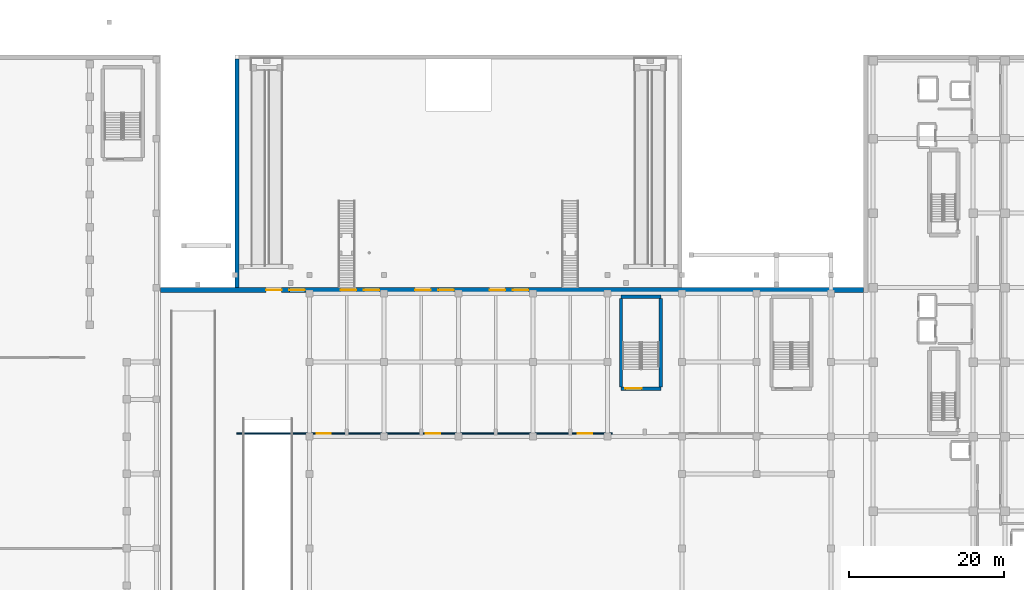
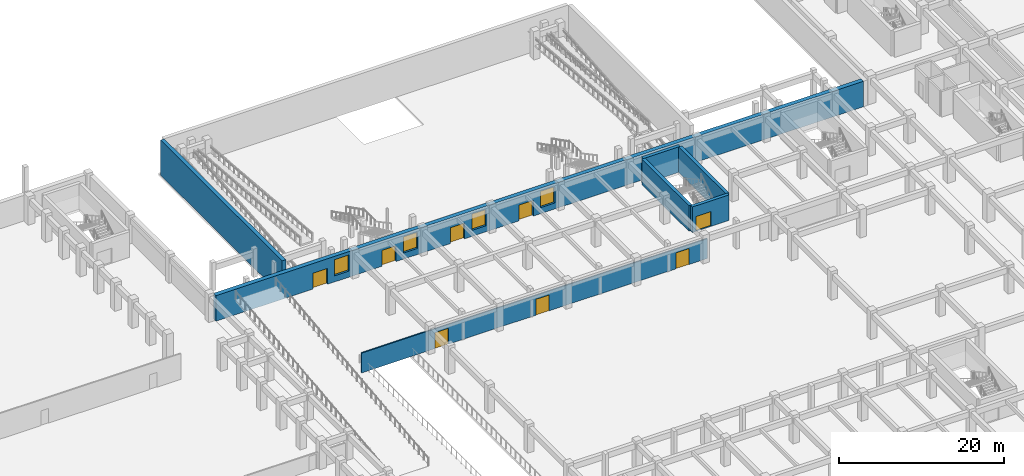
# One storey, part 14 of 39: 8 doors, 7 walls, 4 windows, 12 openings.
"""IFC4 building model written with IfcOpenShell, lengths in metres."""

from ifc_helpers import new_model, si_unit, direction, frame, frame_2d, origin, place, context, subcontext, project, spatial, rectangle, extrude, material, layer, layer_set, type_object, element, fill, save


model = new_model("IFC4")

# Units and contexts
model_context = context("Model", 3, precision=1e-05, world=origin(), true_north=direction((0.0, 1.0)))
body_context = subcontext(model_context, "Body", "Model", "MODEL_VIEW")
ifc_project = project(units=[si_unit("LENGTHUNIT", "METRE"), si_unit("AREAUNIT", "SQUARE_METRE"), si_unit("VOLUMEUNIT", "CUBIC_METRE"), si_unit("PLANEANGLEUNIT", "RADIAN"), si_unit("MASSUNIT", "GRAM", prefix="KILO")], contexts=[model_context])

# Site, building, storey
site_placement = place(None, origin())
site = spatial("IfcSite", under=ifc_project, at=site_placement, CompositionType="ELEMENT")
building_placement = place(site_placement, origin())
building = spatial("IfcBuilding", under=site, at=building_placement, Name="Nakhvara Creek Congress Hotel", CompositionType="ELEMENT")
storey_placement = place(building_placement, frame((0.0, 0.0, -4.199951171875)))
storey = spatial("IfcBuildingStorey", under=building, at=storey_placement, Name="B1", CompositionType="ELEMENT", Elevation=-4.199951171875)

# Wall, opening, door
ifc_material_1 = material(Name="Concrete C50/60", Category="concrete")
ifc_layer_1 = layer(ifc_material_1, 0.449951171875)
ifc_layer_set_1 = layer_set([ifc_layer_1], Name="Concrete C50/60")
wall_type_1 = type_object("IfcWallType", Name="W-CORE-450", PredefinedType="SHEAR", material=ifc_layer_set_1)
wall_1_placement = place(storey_placement, frame((116.949951171875, 82.97998046875, 0.0), z_axis=(0.0, 0.0, 1.0), x_axis=(1.0, 0.0, 0.0)))
wall_1 = element("IfcWall", 1, at=wall_1_placement, inside=storey, type_object=wall_type_1, Name="Core Shear Wall WS02-CWALL-B1-0891", PredefinedType="SHEAR", context=body_context, shape_type="SweptSolid", body=[
    extrude(rectangle(XDim=5.150146484375, YDim=0.449951171875, at=frame_2d((2.5751953125, 0.0))), origin(), (0.0, 0.0, 1.0), 3.780029296875),
])
opening_1_placement = place(wall_1_placement, frame((0.550048828125, 0.0, 0.0)))
opening_1 = element("IfcOpeningElement", 2, at=opening_1_placement, cuts=wall_1, Name="Opening FD19", PredefinedType="OPENING", context=body_context, shape_type="SweptSolid", body=[
    extrude(rectangle(XDim=2.10009765625, YDim=2.199951171875, at=frame_2d((1.050048828125, 1.10009765625))), frame((0.0, 0.23681640625, 0.0), z_axis=(0.0, -1.0, 0.0), x_axis=(1.0, 0.0, 0.0)), (0.0, 0.0, 1.0), 0.473876953125),
])
ifc_material_2 = material(Name="Galvanised steel acoustic fire door", Category="steel")
door_type_1 = type_object("IfcDoorType", Name="DT-STAIR-220", OperationType="DOUBLE_DOOR_SINGLE_SWING", PredefinedType="DOOR", material=ifc_material_2)
door_1_placement = place(opening_1_placement, frame((2.10009765625, 0.0, 0.0), z_axis=(0.0, 0.0, 1.0), x_axis=(-1.0, 0.0, 0.0)))
door_1 = element("IfcDoor", 3, at=door_1_placement, inside=storey, type_object=door_type_1, Name="Stair Exit Door ST09-B1", OperationType="DOUBLE_DOOR_SINGLE_SWING", OverallHeight=2.199951171875, OverallWidth=2.10009765625, PredefinedType="DOOR", context=body_context, shape_type="SweptSolid", body=[
    extrude(rectangle(XDim=2.10009765625, YDim=2.199951171875, at=frame_2d((1.050048828125, 1.10009765625))), frame((0.0, 0.02490234375, 0.0), z_axis=(0.0, -1.0, 0.0), x_axis=(1.0, 0.0, 0.0)), (0.0, 0.0, 1.0), 0.050048828125),
])
fill(opening_1, door_1)

# Walls
wall_2_placement = place(storey_placement, frame((116.949951171875, 94.820068359375, 0.0), z_axis=(0.0, 0.0, 1.0), x_axis=(1.0, 0.0, 0.0)))
element("IfcWall", 4, at=wall_2_placement, inside=storey, type_object=wall_type_1, Name="Core Shear Wall WS02-CWALL-B1-0892", PredefinedType="SHEAR", context=body_context, shape_type="SweptSolid", body=[
    extrude(rectangle(XDim=5.150146484375, YDim=0.449951171875, at=frame_2d((2.5751953125, 0.0))), origin(), (0.0, 0.0, 1.0), 3.780029296875),
])
for number, where, z_axis, x_axis, name in (
    (5, (116.949951171875, 83.199951171875, 0.0), (0.0, 0.0, 1.0), (0.0, 1.0, 0.0), "Core Shear Wall WS02-CWALL-B1-0893"),
    (6, (122.10009765625, 83.199951171875, 0.0), (0.0, 0.0, 1.0), (0.0, 1.0, 0.0), "Core Shear Wall WS02-CWALL-B1-0894"),
):
    element("IfcWall", number, at=place(storey_placement, frame(where, z_axis=z_axis, x_axis=x_axis)), inside=storey, type_object=wall_type_1, Name=name, PredefinedType="SHEAR", context=body_context, shape_type="SweptSolid", body=[
        extrude(rectangle(XDim=11.400146484375, YDim=0.449951171875, at=frame_2d((5.7001953125, 0.0))), origin(), (0.0, 0.0, 1.0), 3.780029296875),
    ])

# Wall, openings, doors
ifc_material_3 = material(Name="Gypsum acoustic board on steel stud", Category="steel")
ifc_layer_2 = layer(ifc_material_3, 0.179931640625)
ifc_layer_set_2 = layer_set([ifc_layer_2], Name="Gypsum acoustic board on steel stud")
wall_type_2 = type_object("IfcWallType", Name="W-MEET-180", PredefinedType="PARTITIONING", material=ifc_layer_set_2)
wall_3_placement = place(storey_placement, frame((67.39990234375, 77.199951171875, 0.0), z_axis=(0.0, 0.0, 1.0), x_axis=(1.0, 0.0, 0.0)))
wall_3 = element("IfcWall", 7, at=wall_3_placement, inside=storey, type_object=wall_type_2, Name="Interior Wall WP13-IW-B1-0045", PredefinedType="PARTITIONING", context=body_context, shape_type="SweptSolid", body=[
    extrude(rectangle(XDim=48.400146484375, YDim=0.179931640625, at=frame_2d((24.2001953125, 0.0))), origin(), (0.0, 0.0, 1.0), 2.931884765625),
])
opening_2_placement = place(wall_3_placement, frame((10.300048828125, 0.0, 0.0)))
opening_2 = element("IfcOpeningElement", 8, at=opening_2_placement, cuts=wall_3, Name="Opening MD01", PredefinedType="OPENING", context=body_context, shape_type="SweptSolid", body=[
    extrude(rectangle(XDim=1.85009765625, YDim=2.35009765625, at=frame_2d((0.925048828125, 1.175048828125))), frame((0.0, 0.10205078125, 0.0), z_axis=(0.0, -1.0, 0.0), x_axis=(1.0, 0.0, 0.0)), (0.0, 0.0, 1.0), 0.203857421875),
])
opening_3_placement = place(wall_3_placement, frame((44.0, 0.0, 0.0)))
opening_3 = element("IfcOpeningElement", 9, at=opening_3_placement, cuts=wall_3, Name="Opening MD01", PredefinedType="OPENING", context=body_context, shape_type="SweptSolid", body=[
    extrude(rectangle(XDim=1.85009765625, YDim=2.35009765625, at=frame_2d((0.925048828125, 1.175048828125))), frame((0.0, 0.10205078125, 0.0), z_axis=(0.0, -1.0, 0.0), x_axis=(1.0, 0.0, 0.0)), (0.0, 0.0, 1.0), 0.203857421875),
])
opening_4_placement = place(wall_3_placement, frame((24.39990234375, 0.0, 0.0)))
opening_4 = element("IfcOpeningElement", 10, at=opening_4_placement, cuts=wall_3, Name="Opening MD01", PredefinedType="OPENING", context=body_context, shape_type="SweptSolid", body=[
    extrude(rectangle(XDim=1.85009765625, YDim=2.35009765625, at=frame_2d((0.925048828125, 1.175048828125))), frame((0.0, 0.10205078125, 0.0), z_axis=(0.0, -1.0, 0.0), x_axis=(1.0, 0.0, 0.0)), (0.0, 0.0, 1.0), 0.203857421875),
])
ifc_material_4 = material(Name="Acoustic walnut timber double door", Category="wood")
door_type_2 = type_object("IfcDoorType", Name="DT-MEET-185", OperationType="DOUBLE_DOOR_SINGLE_SWING", PredefinedType="DOOR", material=ifc_material_4)
door_2_placement = place(opening_2_placement, frame((1.85009765625, 0.0, 0.0), z_axis=(0.0, 0.0, 1.0), x_axis=(-1.0, 0.0, 0.0)))
door_2 = element("IfcDoor", 11, at=door_2_placement, inside=storey, type_object=door_type_2, Name="Interior Door MD01-0040", OperationType="DOUBLE_DOOR_SINGLE_SWING", OverallHeight=2.35009765625, OverallWidth=1.85009765625, PredefinedType="DOOR", context=body_context, shape_type="SweptSolid", body=[
    extrude(rectangle(XDim=1.85009765625, YDim=2.35009765625, at=frame_2d((0.925048828125, 1.175048828125))), frame((0.0, 0.02490234375, 0.0), z_axis=(0.0, -1.0, 0.0), x_axis=(1.0, 0.0, 0.0)), (0.0, 0.0, 1.0), 0.050048828125),
])
fill(opening_2, door_2)
door_3_placement = place(opening_3_placement, frame((1.85009765625, 0.0, 0.0), z_axis=(0.0, 0.0, 1.0), x_axis=(-1.0, 0.0, 0.0)))
door_3 = element("IfcDoor", 12, at=door_3_placement, inside=storey, type_object=door_type_2, Name="Interior Door MD01-0041", OperationType="DOUBLE_DOOR_SINGLE_SWING", OverallHeight=2.35009765625, OverallWidth=1.85009765625, PredefinedType="DOOR", context=body_context, shape_type="SweptSolid", body=[
    extrude(rectangle(XDim=1.85009765625, YDim=2.35009765625, at=frame_2d((0.925048828125, 1.175048828125))), frame((0.0, 0.02490234375, 0.0), z_axis=(0.0, -1.0, 0.0), x_axis=(1.0, 0.0, 0.0)), (0.0, 0.0, 1.0), 0.050048828125),
])
fill(opening_3, door_3)
door_4_placement = place(opening_4_placement, frame((1.85009765625, 0.0, 0.0), z_axis=(0.0, 0.0, 1.0), x_axis=(-1.0, 0.0, 0.0)))
door_4 = element("IfcDoor", 13, at=door_4_placement, inside=storey, type_object=door_type_2, Name="Interior Door MD01-0042", OperationType="DOUBLE_DOOR_SINGLE_SWING", OverallHeight=2.35009765625, OverallWidth=1.85009765625, PredefinedType="DOOR", context=body_context, shape_type="SweptSolid", body=[
    extrude(rectangle(XDim=1.85009765625, YDim=2.35009765625, at=frame_2d((0.925048828125, 1.175048828125))), frame((0.0, 0.02490234375, 0.0), z_axis=(0.0, -1.0, 0.0), x_axis=(1.0, 0.0, 0.0)), (0.0, 0.0, 1.0), 0.050048828125),
])
fill(opening_4, door_4)

# Wall
ifc_material_5 = material(Name="Concrete C40/50", Category="concrete")
ifc_layer_3 = layer(ifc_material_5, 0.52001953125)
ifc_layer_set_3 = layer_set([ifc_layer_3], Name="Concrete C40/50")
wall_type_3 = type_object("IfcWallType", Name="W-RET-520", PredefinedType="USERDEFINED", material=ifc_layer_set_3)
wall_4_placement = place(storey_placement, frame((67.4599609375, 96.0, 0.0), z_axis=(0.0, 0.0, 1.0), x_axis=(0.0, 1.0, 0.0)))
element("IfcWall", 14, at=wall_4_placement, inside=storey, type_object=wall_type_3, Name="Exterior Wall WR02-EW-B1-0021", ObjectType="RETAININGWALL", PredefinedType="USERDEFINED", context=body_context, shape_type="SweptSolid", body=[
    extrude(rectangle(XDim=29.47998046875, YDim=0.52001953125, at=frame_2d((14.739990234375, 0.0))), origin(), (0.0, 0.0, 1.0), 5.199951171875),
])

# Wall, openings, doors, windows
ifc_layer_4 = layer(ifc_material_5, 0.60009765625)
ifc_layer_set_4 = layer_set([ifc_layer_4], Name="Concrete C40/50")
wall_type_4 = type_object("IfcWallType", Name="W-RET-600", PredefinedType="USERDEFINED", material=ifc_layer_set_4)
wall_5_placement = place(storey_placement, frame((57.60009765625, 95.699951171875, 0.0), z_axis=(0.0, 0.0, 1.0), x_axis=(1.0, 0.0, 0.0)))
wall_5 = element("IfcWall", 15, at=wall_5_placement, inside=storey, type_object=wall_type_4, Name="Exterior Wall WR01-EW-B1-0014", ObjectType="RETAININGWALL", PredefinedType="USERDEFINED", context=body_context, shape_type="SweptSolid", body=[
    extrude(rectangle(XDim=90.599853515625, YDim=0.60009765625, at=frame_2d((45.2998046875, 0.0))), origin(), (0.0, 0.0, 1.0), 3.780029296875),
])
opening_5_placement = place(wall_5_placement, frame((13.60009765625, 0.0, 0.0)))
opening_5 = element("IfcOpeningElement", 16, at=opening_5_placement, cuts=wall_5, Name="Opening BM01", PredefinedType="OPENING", context=body_context, shape_type="SweptSolid", body=[
    extrude(rectangle(XDim=2.0, YDim=2.35009765625, at=frame_2d((1.0, 1.175048828125))), frame((0.0, 0.31201171875, 0.0), z_axis=(0.0, -1.0, 0.0), x_axis=(1.0, 0.0, 0.0)), (0.0, 0.0, 1.0), 0.6240234375),
])
opening_6_placement = place(wall_5_placement, frame((23.199951171875, 0.0, 0.0)))
opening_6 = element("IfcOpeningElement", 17, at=opening_6_placement, cuts=wall_5, Name="Opening BM02", PredefinedType="OPENING", context=body_context, shape_type="SweptSolid", body=[
    extrude(rectangle(XDim=2.0, YDim=2.35009765625, at=frame_2d((1.0, 1.175048828125))), frame((0.0, 0.31201171875, 0.0), z_axis=(0.0, -1.0, 0.0), x_axis=(1.0, 0.0, 0.0)), (0.0, 0.0, 1.0), 0.6240234375),
])
opening_7_placement = place(wall_5_placement, frame((32.800048828125, 0.0, 0.0)))
opening_7 = element("IfcOpeningElement", 18, at=opening_7_placement, cuts=wall_5, Name="Opening BM03", PredefinedType="OPENING", context=body_context, shape_type="SweptSolid", body=[
    extrude(rectangle(XDim=2.0, YDim=2.35009765625, at=frame_2d((1.0, 1.175048828125))), frame((0.0, 0.31201171875, 0.0), z_axis=(0.0, -1.0, 0.0), x_axis=(1.0, 0.0, 0.0)), (0.0, 0.0, 1.0), 0.6240234375),
])
opening_8_placement = place(wall_5_placement, frame((42.39990234375, 0.0, 0.0)))
opening_8 = element("IfcOpeningElement", 19, at=opening_8_placement, cuts=wall_5, Name="Opening BM04", PredefinedType="OPENING", context=body_context, shape_type="SweptSolid", body=[
    extrude(rectangle(XDim=2.0, YDim=2.35009765625, at=frame_2d((1.0, 1.175048828125))), frame((0.0, 0.31201171875, 0.0), z_axis=(0.0, -1.0, 0.0), x_axis=(1.0, 0.0, 0.0)), (0.0, 0.0, 1.0), 0.6240234375),
])
opening_9_placement = place(wall_5_placement, frame((16.60009765625, 0.0, 0.89990234375)))
opening_9 = element("IfcOpeningElement", 20, at=opening_9_placement, cuts=wall_5, Name="Opening WN0001", PredefinedType="OPENING", context=body_context, shape_type="SweptSolid", body=[
    extrude(rectangle(XDim=2.0, YDim=2.39990234375, at=frame_2d((1.0, 1.199951171875))), frame((0.0, 0.31201171875, 0.0), z_axis=(0.0, -1.0, 0.0), x_axis=(1.0, 0.0, 0.0)), (0.0, 0.0, 1.0), 0.6240234375),
])
opening_10_placement = place(wall_5_placement, frame((26.199951171875, 0.0, 0.89990234375)))
opening_10 = element("IfcOpeningElement", 21, at=opening_10_placement, cuts=wall_5, Name="Opening WN0002", PredefinedType="OPENING", context=body_context, shape_type="SweptSolid", body=[
    extrude(rectangle(XDim=2.0, YDim=2.39990234375, at=frame_2d((1.0, 1.199951171875))), frame((0.0, 0.31201171875, 0.0), z_axis=(0.0, -1.0, 0.0), x_axis=(1.0, 0.0, 0.0)), (0.0, 0.0, 1.0), 0.6240234375),
])
opening_11_placement = place(wall_5_placement, frame((35.800048828125, 0.0, 0.89990234375)))
opening_11 = element("IfcOpeningElement", 22, at=opening_11_placement, cuts=wall_5, Name="Opening WN0003", PredefinedType="OPENING", context=body_context, shape_type="SweptSolid", body=[
    extrude(rectangle(XDim=2.0, YDim=2.39990234375, at=frame_2d((1.0, 1.199951171875))), frame((0.0, 0.31201171875, 0.0), z_axis=(0.0, -1.0, 0.0), x_axis=(1.0, 0.0, 0.0)), (0.0, 0.0, 1.0), 0.6240234375),
])
opening_12_placement = place(wall_5_placement, frame((45.39990234375, 0.0, 0.89990234375)))
opening_12 = element("IfcOpeningElement", 23, at=opening_12_placement, cuts=wall_5, Name="Opening WN0004", PredefinedType="OPENING", context=body_context, shape_type="SweptSolid", body=[
    extrude(rectangle(XDim=2.0, YDim=2.39990234375, at=frame_2d((1.0, 1.199951171875))), frame((0.0, 0.31201171875, 0.0), z_axis=(0.0, -1.0, 0.0), x_axis=(1.0, 0.0, 0.0)), (0.0, 0.0, 1.0), 0.6240234375),
])
ifc_material_6 = material(Name="Bronze-anodised aluminium and laminated low-E glass", Category="aluminium")
door_type_3 = type_object("IfcDoorType", Name="DT-EXT-E200", OperationType="DOUBLE_DOOR_SINGLE_SWING", PredefinedType="DOOR", material=ifc_material_6)
door_5_placement = place(opening_5_placement, origin())
door_5 = element("IfcDoor", 24, at=door_5_placement, inside=storey, type_object=door_type_3, Name="Metro Plaza Concourse Entrance BM01", OperationType="DOUBLE_DOOR_SINGLE_SWING", OverallHeight=2.35009765625, OverallWidth=2.0, PredefinedType="DOOR", context=body_context, shape_type="SweptSolid", body=[
    extrude(rectangle(XDim=2.0, YDim=2.35009765625, at=frame_2d((1.0, 1.175048828125))), frame((0.0, 0.02490234375, 0.0), z_axis=(0.0, -1.0, 0.0), x_axis=(1.0, 0.0, 0.0)), (0.0, 0.0, 1.0), 0.050048828125),
])
fill(opening_5, door_5)
door_6_placement = place(opening_6_placement, origin())
door_6 = element("IfcDoor", 25, at=door_6_placement, inside=storey, type_object=door_type_3, Name="Metro Plaza Concourse Entrance BM02", OperationType="DOUBLE_DOOR_SINGLE_SWING", OverallHeight=2.35009765625, OverallWidth=2.0, PredefinedType="DOOR", context=body_context, shape_type="SweptSolid", body=[
    extrude(rectangle(XDim=2.0, YDim=2.35009765625, at=frame_2d((1.0, 1.175048828125))), frame((0.0, 0.02490234375, 0.0), z_axis=(0.0, -1.0, 0.0), x_axis=(1.0, 0.0, 0.0)), (0.0, 0.0, 1.0), 0.050048828125),
])
fill(opening_6, door_6)
door_7_placement = place(opening_7_placement, origin())
door_7 = element("IfcDoor", 26, at=door_7_placement, inside=storey, type_object=door_type_3, Name="Metro Plaza Concourse Entrance BM03", OperationType="DOUBLE_DOOR_SINGLE_SWING", OverallHeight=2.35009765625, OverallWidth=2.0, PredefinedType="DOOR", context=body_context, shape_type="SweptSolid", body=[
    extrude(rectangle(XDim=2.0, YDim=2.35009765625, at=frame_2d((1.0, 1.175048828125))), frame((0.0, 0.02490234375, 0.0), z_axis=(0.0, -1.0, 0.0), x_axis=(1.0, 0.0, 0.0)), (0.0, 0.0, 1.0), 0.050048828125),
])
fill(opening_7, door_7)
door_8_placement = place(opening_8_placement, origin())
door_8 = element("IfcDoor", 27, at=door_8_placement, inside=storey, type_object=door_type_3, Name="Metro Plaza Concourse Entrance BM04", OperationType="DOUBLE_DOOR_SINGLE_SWING", OverallHeight=2.35009765625, OverallWidth=2.0, PredefinedType="DOOR", context=body_context, shape_type="SweptSolid", body=[
    extrude(rectangle(XDim=2.0, YDim=2.35009765625, at=frame_2d((1.0, 1.175048828125))), frame((0.0, 0.02490234375, 0.0), z_axis=(0.0, -1.0, 0.0), x_axis=(1.0, 0.0, 0.0)), (0.0, 0.0, 1.0), 0.050048828125),
])
fill(opening_8, door_8)
ifc_material_7 = material(Name="Thermally broken bronze-anodised aluminium and double-silver low-E insulated glass", Category="aluminium")
window_type = type_object("IfcWindowType", Name="WN-MET-200X240", PartitioningType="SINGLE_PANEL", PredefinedType="WINDOW", material=ifc_material_7)
window_1_placement = place(opening_9_placement, origin())
window_1 = element("IfcWindow", 28, at=window_1_placement, inside=storey, type_object=window_type, Name="Facade Window WN0001", OverallHeight=2.39990234375, OverallWidth=2.0, PartitioningType="SINGLE_PANEL", PredefinedType="WINDOW", context=body_context, shape_type="SweptSolid", body=[
    extrude(rectangle(XDim=2.0, YDim=2.39990234375, at=frame_2d((1.0, 1.199951171875))), frame((0.0, 0.030029296875, 0.0), z_axis=(0.0, -1.0, 0.0), x_axis=(1.0, 0.0, 0.0)), (0.0, 0.0, 1.0), 0.06005859375),
])
fill(opening_9, window_1)
window_2_placement = place(opening_10_placement, origin())
window_2 = element("IfcWindow", 29, at=window_2_placement, inside=storey, type_object=window_type, Name="Facade Window WN0002", OverallHeight=2.39990234375, OverallWidth=2.0, PartitioningType="SINGLE_PANEL", PredefinedType="WINDOW", context=body_context, shape_type="SweptSolid", body=[
    extrude(rectangle(XDim=2.0, YDim=2.39990234375, at=frame_2d((1.0, 1.199951171875))), frame((0.0, 0.030029296875, 0.0), z_axis=(0.0, -1.0, 0.0), x_axis=(1.0, 0.0, 0.0)), (0.0, 0.0, 1.0), 0.06005859375),
])
fill(opening_10, window_2)
window_3_placement = place(opening_11_placement, origin())
window_3 = element("IfcWindow", 30, at=window_3_placement, inside=storey, type_object=window_type, Name="Facade Window WN0003", OverallHeight=2.39990234375, OverallWidth=2.0, PartitioningType="SINGLE_PANEL", PredefinedType="WINDOW", context=body_context, shape_type="SweptSolid", body=[
    extrude(rectangle(XDim=2.0, YDim=2.39990234375, at=frame_2d((1.0, 1.199951171875))), frame((0.0, 0.030029296875, 0.0), z_axis=(0.0, -1.0, 0.0), x_axis=(1.0, 0.0, 0.0)), (0.0, 0.0, 1.0), 0.06005859375),
])
fill(opening_11, window_3)
window_4_placement = place(opening_12_placement, origin())
window_4 = element("IfcWindow", 31, at=window_4_placement, inside=storey, type_object=window_type, Name="Facade Window WN0004", OverallHeight=2.39990234375, OverallWidth=2.0, PartitioningType="SINGLE_PANEL", PredefinedType="WINDOW", context=body_context, shape_type="SweptSolid", body=[
    extrude(rectangle(XDim=2.0, YDim=2.39990234375, at=frame_2d((1.0, 1.199951171875))), frame((0.0, 0.030029296875, 0.0), z_axis=(0.0, -1.0, 0.0), x_axis=(1.0, 0.0, 0.0)), (0.0, 0.0, 1.0), 0.06005859375),
])
fill(opening_12, window_4)

save(model, "model.ifc")
